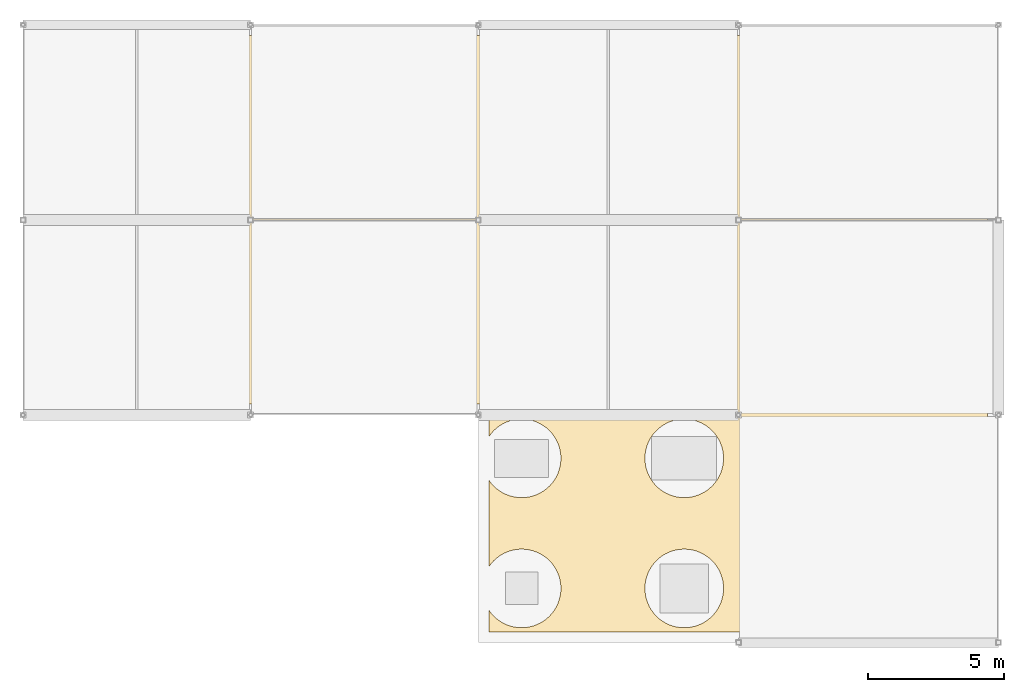
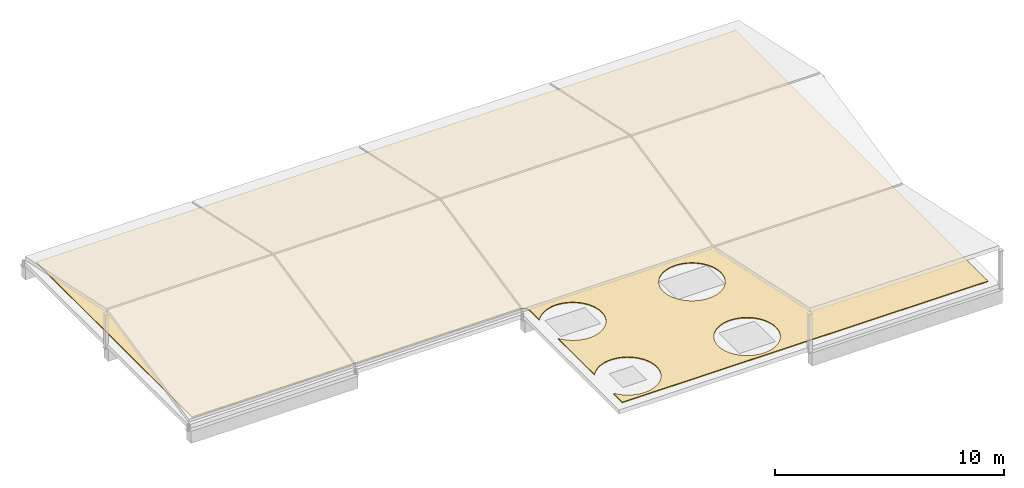
# One storey, part 11 of 11: 1 covering.
"""IFC4 building model written with IfcOpenShell, lengths in metres."""

from ifc_helpers import new_model, si_unit, direction, frame, origin, place, context, subcontext, project, spatial, polyline, outline, extrude, material, layer, layer_set, type_object, element, save


model = new_model("IFC4")

# Units and contexts
model_context = context("Model", 3, precision=1e-05, world=origin(), true_north=direction((0.0, 1.0)))
body_context = subcontext(model_context, "Body", "Model", "MODEL_VIEW")
ifc_project = project(units=[si_unit("LENGTHUNIT", "METRE"), si_unit("AREAUNIT", "SQUARE_METRE"), si_unit("VOLUMEUNIT", "CUBIC_METRE"), si_unit("PLANEANGLEUNIT", "RADIAN"), si_unit("MASSUNIT", "GRAM", prefix="KILO")], contexts=[model_context])

# Site, building, storey
site_placement = place(None, origin())
site = spatial("IfcSite", under=ifc_project, at=site_placement, CompositionType="ELEMENT")
building_placement = place(site_placement, origin())
building = spatial("IfcBuilding", under=site, at=building_placement, Name="Kisaragi Civic Commons", CompositionType="ELEMENT")
storey_placement = place(building_placement, frame((0.0, 0.0, 21.60009765625)))
storey = spatial("IfcBuildingStorey", under=building, at=storey_placement, Name="RF", CompositionType="ELEMENT", Elevation=21.60009765625)

# Covering
ifc_material = material(Name="Patinated copper-zinc standing-seam roofing")
ifc_layer = layer(ifc_material, 0.044921875, Name="Patinated copper-zinc standing-seam roofing")
ifc_layer_set = layer_set([ifc_layer], Name="Patinated copper-zinc standing-seam roofing")
covering_type = type_object("IfcCoveringType", Name="RFG-01", PredefinedType="ROOFING", material=ifc_layer_set)
covering_placement = place(storey_placement, origin())
element("IfcCovering", 1, at=covering_placement, inside=storey, type_object=covering_type, Name="RF standing-seam roof covering", PredefinedType="ROOFING", context=body_context, shape_type="SweptSolid", body=[
    extrude(outline(polyline([(114.39990234375, 96.39990234375), (114.39990234375, 97.186767578125), (114.47900390625, 97.080078125), (114.57470703125, 96.974609375), (114.68017578125, 96.879150390625), (114.79443359375, 96.79443359375), (114.91650390625, 96.72119140625), (115.045166015625, 96.660400390625), (115.17919921875, 96.6123046875), (115.317138671875, 96.577880859375), (115.4580078125, 96.556884765625), (115.60009765625, 96.550048828125), (115.7421875, 96.556884765625), (115.8828125, 96.577880859375), (116.02099609375, 96.6123046875), (116.15478515625, 96.660400390625), (116.283447265625, 96.72119140625), (116.405517578125, 96.79443359375), (116.52001953125, 96.879150390625), (116.625244140625, 96.974609375), (116.720947265625, 97.080078125), (116.8056640625, 97.1943359375), (116.87890625, 97.31640625), (116.939697265625, 97.445068359375), (116.987548828125, 97.5791015625), (117.022216796875, 97.717041015625), (117.04296875, 97.85791015625), (117.050048828125, 98.0), (117.04296875, 98.14208984375), (117.022216796875, 98.282958984375), (116.987548828125, 98.4208984375), (116.939697265625, 98.554931640625), (116.87890625, 98.68359375), (116.8056640625, 98.8056640625), (116.720947265625, 98.919921875), (116.625244140625, 99.025390625), (116.52001953125, 99.120849609375), (116.405517578125, 99.20556640625), (116.283447265625, 99.27880859375), (116.15478515625, 99.339599609375), (116.02099609375, 99.3876953125), (115.8828125, 99.422119140625), (115.7421875, 99.443115234375), (115.60009765625, 99.449951171875), (115.4580078125, 99.443115234375), (115.317138671875, 99.422119140625), (115.17919921875, 99.3876953125), (115.045166015625, 99.339599609375), (114.91650390625, 99.27880859375), (114.79443359375, 99.20556640625), (114.68017578125, 99.120849609375), (114.57470703125, 99.025390625), (114.47900390625, 98.919921875), (114.39990234375, 98.813232421875), (114.39990234375, 101.98681640625), (114.47900390625, 101.880126953125), (114.57470703125, 101.774658203125), (114.68017578125, 101.67919921875), (114.79443359375, 101.594482421875), (114.91650390625, 101.521240234375), (115.045166015625, 101.46044921875), (115.17919921875, 101.412353515625), (115.317138671875, 101.3779296875), (115.4580078125, 101.35693359375), (115.60009765625, 101.35009765625), (115.7421875, 101.35693359375), (115.8828125, 101.3779296875), (116.02099609375, 101.412353515625), (116.15478515625, 101.46044921875), (116.283447265625, 101.521240234375), (116.405517578125, 101.594482421875), (116.52001953125, 101.67919921875), (116.625244140625, 101.774658203125), (116.720947265625, 101.880126953125), (116.8056640625, 101.994384765625), (116.87890625, 102.116455078125), (116.939697265625, 102.2451171875), (116.987548828125, 102.379150390625), (117.022216796875, 102.51708984375), (117.04296875, 102.657958984375), (117.050048828125, 102.800048828125), (117.04296875, 102.942138671875), (117.022216796875, 103.0830078125), (116.987548828125, 103.220947265625), (116.939697265625, 103.35498046875), (116.87890625, 103.4833984375), (116.8056640625, 103.605712890625), (116.720947265625, 103.719970703125), (116.625244140625, 103.8251953125), (116.52001953125, 103.9208984375), (116.405517578125, 104.005615234375), (116.283447265625, 104.078857421875), (116.15478515625, 104.1396484375), (116.02099609375, 104.1875), (115.8828125, 104.22216796875), (115.7421875, 104.242919921875), (115.60009765625, 104.25), (115.4580078125, 104.242919921875), (115.317138671875, 104.22216796875), (115.17919921875, 104.1875), (115.045166015625, 104.1396484375), (114.91650390625, 104.078857421875), (114.79443359375, 104.005615234375), (114.68017578125, 103.9208984375), (114.57470703125, 103.8251953125), (114.47900390625, 103.719970703125), (114.39990234375, 103.61328125), (114.39990234375, 104.39990234375), (114.398193359375, 104.439208984375), (114.392333984375, 104.47802734375), (114.3828125, 104.51611328125), (114.36962890625, 104.552978515625), (114.352783203125, 104.588623046875), (114.33251953125, 104.622314453125), (114.30908203125, 104.65380859375), (114.28271484375, 104.682861328125), (114.25390625, 104.709228515625), (114.22216796875, 104.732666015625), (114.188720703125, 104.752685546875), (114.153076171875, 104.76953125), (114.1162109375, 104.78271484375), (114.077880859375, 104.792236328125), (114.039306640625, 104.798095703125), (114.0, 104.800048828125), (97.60009765625, 104.800048828125), (97.60009765625, 118.39990234375), (132.800048828125, 118.39990234375), (132.800048828125, 96.39990234375), (114.39990234375, 96.39990234375)]), holes=[polyline([(122.987548828125, 98.4208984375), (122.939697265625, 98.554931640625), (122.87890625, 98.68359375), (122.8056640625, 98.8056640625), (122.720947265625, 98.919921875), (122.625244140625, 99.025390625), (122.52001953125, 99.120849609375), (122.405517578125, 99.20556640625), (122.283447265625, 99.27880859375), (122.15478515625, 99.339599609375), (122.02099609375, 99.3876953125), (121.8828125, 99.422119140625), (121.7421875, 99.443115234375), (121.60009765625, 99.449951171875), (121.4580078125, 99.443115234375), (121.317138671875, 99.422119140625), (121.17919921875, 99.3876953125), (121.045166015625, 99.339599609375), (120.91650390625, 99.27880859375), (120.79443359375, 99.20556640625), (120.68017578125, 99.120849609375), (120.57470703125, 99.025390625), (120.47900390625, 98.919921875), (120.394287109375, 98.8056640625), (120.3212890625, 98.68359375), (120.260498046875, 98.554931640625), (120.21240234375, 98.4208984375), (120.177978515625, 98.282958984375), (120.156982421875, 98.14208984375), (120.14990234375, 98.0), (120.156982421875, 97.85791015625), (120.177978515625, 97.717041015625), (120.21240234375, 97.5791015625), (120.260498046875, 97.445068359375), (120.3212890625, 97.31640625), (120.394287109375, 97.1943359375), (120.47900390625, 97.080078125), (120.57470703125, 96.974609375), (120.68017578125, 96.879150390625), (120.79443359375, 96.79443359375), (120.91650390625, 96.72119140625), (121.045166015625, 96.660400390625), (121.17919921875, 96.6123046875), (121.317138671875, 96.577880859375), (121.4580078125, 96.556884765625), (121.60009765625, 96.550048828125), (121.7421875, 96.556884765625), (121.8828125, 96.577880859375), (122.02099609375, 96.6123046875), (122.15478515625, 96.660400390625), (122.283447265625, 96.72119140625), (122.405517578125, 96.79443359375), (122.52001953125, 96.879150390625), (122.625244140625, 96.974609375), (122.720947265625, 97.080078125), (122.8056640625, 97.1943359375), (122.87890625, 97.31640625), (122.939697265625, 97.445068359375), (122.987548828125, 97.5791015625), (123.022216796875, 97.717041015625), (123.04296875, 97.85791015625), (123.050048828125, 98.0), (123.04296875, 98.14208984375), (123.022216796875, 98.282958984375), (122.987548828125, 98.4208984375)]), polyline([(123.04296875, 102.942138671875), (123.022216796875, 103.0830078125), (122.987548828125, 103.220947265625), (122.939697265625, 103.35498046875), (122.87890625, 103.4833984375), (122.8056640625, 103.605712890625), (122.720947265625, 103.719970703125), (122.625244140625, 103.8251953125), (122.52001953125, 103.9208984375), (122.405517578125, 104.005615234375), (122.283447265625, 104.078857421875), (122.15478515625, 104.1396484375), (122.02099609375, 104.1875), (121.8828125, 104.22216796875), (121.7421875, 104.242919921875), (121.60009765625, 104.25), (121.4580078125, 104.242919921875), (121.317138671875, 104.22216796875), (121.17919921875, 104.1875), (121.045166015625, 104.1396484375), (120.91650390625, 104.078857421875), (120.79443359375, 104.005615234375), (120.68017578125, 103.9208984375), (120.57470703125, 103.8251953125), (120.47900390625, 103.719970703125), (120.394287109375, 103.605712890625), (120.3212890625, 103.4833984375), (120.260498046875, 103.35498046875), (120.21240234375, 103.220947265625), (120.177978515625, 103.0830078125), (120.156982421875, 102.942138671875), (120.14990234375, 102.800048828125), (120.156982421875, 102.657958984375), (120.177978515625, 102.51708984375), (120.21240234375, 102.379150390625), (120.260498046875, 102.2451171875), (120.3212890625, 102.116455078125), (120.394287109375, 101.994384765625), (120.47900390625, 101.880126953125), (120.57470703125, 101.774658203125), (120.68017578125, 101.67919921875), (120.79443359375, 101.594482421875), (120.91650390625, 101.521240234375), (121.045166015625, 101.46044921875), (121.17919921875, 101.412353515625), (121.317138671875, 101.3779296875), (121.4580078125, 101.35693359375), (121.60009765625, 101.35009765625), (121.7421875, 101.35693359375), (121.8828125, 101.3779296875), (122.02099609375, 101.412353515625), (122.15478515625, 101.46044921875), (122.283447265625, 101.521240234375), (122.405517578125, 101.594482421875), (122.52001953125, 101.67919921875), (122.625244140625, 101.774658203125), (122.720947265625, 101.880126953125), (122.8056640625, 101.994384765625), (122.87890625, 102.116455078125), (122.939697265625, 102.2451171875), (122.987548828125, 102.379150390625), (123.022216796875, 102.51708984375), (123.04296875, 102.657958984375), (123.050048828125, 102.800048828125), (123.04296875, 102.942138671875)])]), origin(), (0.0, 0.0, 1.0), 0.044921875),
])

save(model, "model.ifc")
